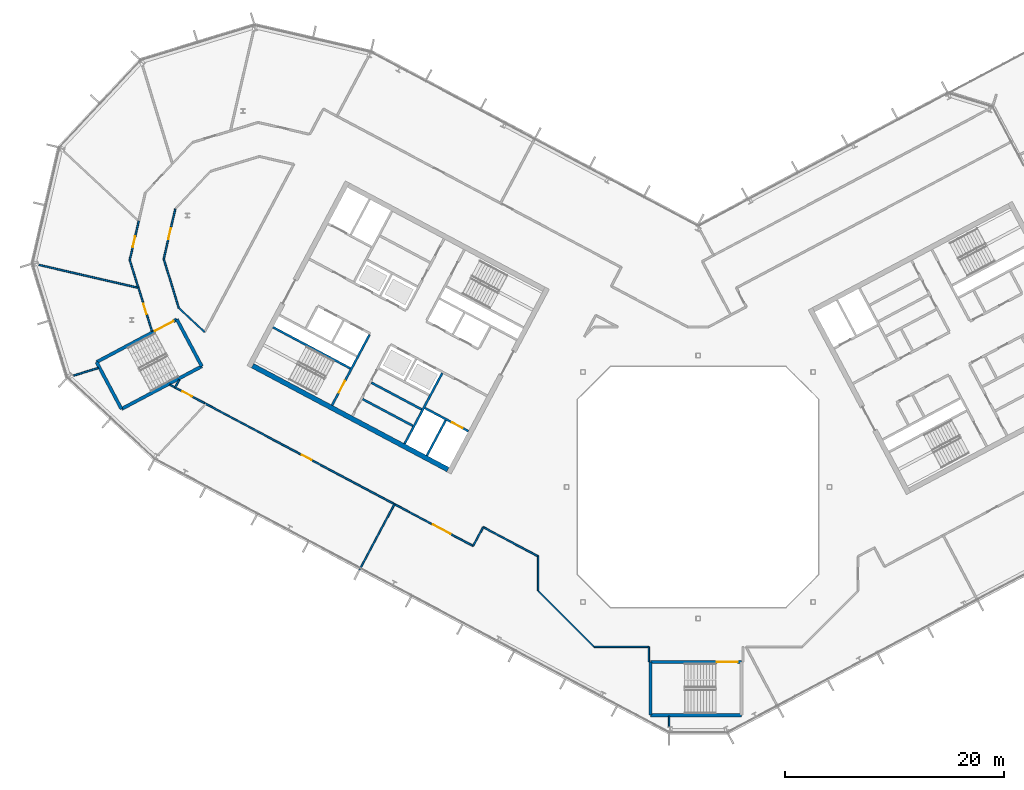
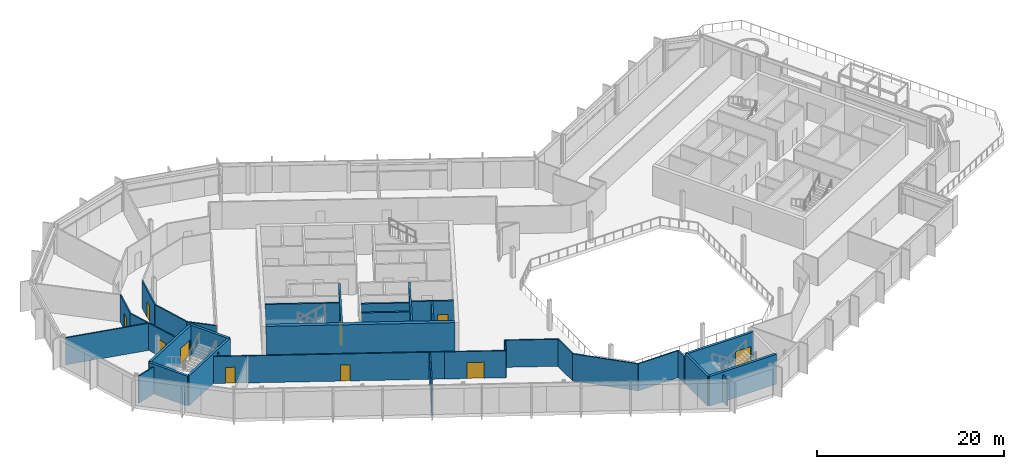
# One storey, part 14 of 30: 35 walls, 10 doors, 10 openings.
"""IFC4 building model written with IfcOpenShell, lengths in metres."""

from ifc_helpers import new_model, si_unit, direction, frame, frame_2d, origin, place, context, subcontext, project, spatial, rectangle, extrude, material, layer, layer_set, type_object, element, fill, save


model = new_model("IFC4")

# Units and contexts
model_context = context("Model", 3, precision=1e-05, world=origin(), true_north=direction((0.0, 1.0)))
body_context = subcontext(model_context, "Body", "Model", "MODEL_VIEW")
ifc_project = project(units=[si_unit("LENGTHUNIT", "METRE"), si_unit("AREAUNIT", "SQUARE_METRE"), si_unit("VOLUMEUNIT", "CUBIC_METRE"), si_unit("PLANEANGLEUNIT", "RADIAN"), si_unit("MASSUNIT", "GRAM", prefix="KILO")], contexts=[model_context])

# Site, building, storey
site_placement = place(None, origin())
site = spatial("IfcSite", under=ifc_project, at=site_placement, CompositionType="ELEMENT")
building_placement = place(site_placement, origin())
building = spatial("IfcBuilding", under=site, at=building_placement, Name="Cormorant Relay Tower", CompositionType="ELEMENT")
storey_placement = place(building_placement, frame((0.0, 0.0, 258.0)))
storey = spatial("IfcBuildingStorey", under=building, at=storey_placement, Name="L57", CompositionType="ELEMENT", Elevation=258.0)

# Walls
ifc_material_1 = material(Name="Concrete 40 MPa", Category="concrete")
ifc_layer_1 = layer(ifc_material_1, 0.199951171875)
ifc_layer_set_1 = layer_set([ifc_layer_1], Name="Core internal wall 200")
wall_type_1 = type_object("IfcWallType", Name="Core internal wall 200", PredefinedType="SOLIDWALL", material=ifc_layer_set_1)
for number, where, z_axis, x_axis, name in (
    (1, (-25.232421875, 7.073974609375, 0.0), (0.0, 0.0, 1.0), (-0.882953967957, 0.469459572775, 0.0), "L57 core A shaft and room wall"),
    (2, (-26.030517578125, 5.572998046875, 0.0), (0.0, 0.0, 1.0), (-0.882953967957, 0.469459572775, 0.0), "L57 core A shaft and room wall"),
):
    element("IfcWall", number, at=place(storey_placement, frame(where, z_axis=z_axis, x_axis=x_axis)), inside=storey, type_object=wall_type_1, Name=name, PredefinedType="SOLIDWALL", context=body_context, shape_type="SweptSolid", body=[
        extrude(rectangle(XDim=5.199951171875, YDim=0.199951171875, at=frame_2d((2.60009765625, 0.0))), origin(), (0.0, 0.0, 1.0), 3.89990234375),
    ])
ifc_material_2 = material(Name="Concrete 50 MPa", Category="concrete")
ifc_layer_2 = layer(ifc_material_2, 0.199951171875)
ifc_layer_set_2 = layer_set([ifc_layer_2], Name="Core shaft wall 200")
wall_type_2 = type_object("IfcWallType", Name="Core shaft wall 200", PredefinedType="SHEAR", material=ifc_layer_set_2)
wall_1_placement = place(storey_placement, frame((-23.04296875, 6.07958984375, 0.0), z_axis=(0.0, 0.0, 1.0), x_axis=(-0.469494272526, -0.882935517501, 0.0)))
element("IfcWall", 3, at=wall_1_placement, inside=storey, type_object=wall_type_2, Name="L57 core A shaft wall", PredefinedType="SHEAR", context=body_context, shape_type="SweptSolid", body=[
    extrude(rectangle(XDim=3.64990234375, YDim=0.199951171875, at=frame_2d((1.824951171875, 0.0))), origin(), (0.0, 0.0, 1.0), 3.89990234375),
])
wall_2_placement = place(storey_placement, frame((-23.360107421875, 10.38232421875, 0.0), z_axis=(0.0, 0.0, 1.0), x_axis=(-0.469480409012, -0.88294288918, 0.0)))
element("IfcWall", 4, at=wall_2_placement, inside=storey, type_object=wall_type_2, Name="L57 core A shaft wall", PredefinedType="SHEAR", context=body_context, shape_type="SweptSolid", body=[
    extrude(rectangle(XDim=7.300048828125, YDim=0.199951171875, at=frame_2d((3.64990234375, 0.0))), origin(), (0.0, 0.0, 1.0), 3.89990234375),
])

# Wall, opening, door
wall_3_placement = place(storey_placement, frame((-29.982421875, 13.9033203125, 0.0), z_axis=(0.0, 0.0, 1.0), x_axis=(-0.469454336211, -0.882956752176, 0.0)))
wall_3 = element("IfcWall", 5, at=wall_3_placement, inside=storey, type_object=wall_type_2, Name="L57 core A shaft wall", PredefinedType="SHEAR", context=body_context, shape_type="SweptSolid", body=[
    extrude(rectangle(XDim=7.300048828125, YDim=0.199951171875, at=frame_2d((3.64990234375, 0.0))), origin(), (0.0, 0.0, 1.0), 3.89990234375),
])
opening_1_placement = place(wall_3_placement, frame((4.800048828125, 0.0, 0.0)))
opening_1 = element("IfcOpeningElement", 6, at=opening_1_placement, cuts=wall_3, Name="Opening CDB-039", PredefinedType="OPENING", context=body_context, shape_type="SweptSolid", body=[
    extrude(rectangle(XDim=1.199951171875, YDim=2.10009765625, at=frame_2d((0.60009765625, 1.050048828125))), frame((0.0, 0.10986328125, 0.0), z_axis=(0.0, -1.0, 0.0), x_axis=(1.0, 0.0, 0.0)), (0.0, 0.0, 1.0), 0.219970703125),
])
ifc_material_3 = material(Name="Steel fire door", Category="steel")
door_type_1 = type_object("IfcDoorType", Name="Core stair door 1200x2100", OperationType="SINGLE_SWING_LEFT", PredefinedType="DOOR", material=ifc_material_3)
door_1_placement = place(opening_1_placement, frame((1.199951171875, 0.0, 0.0), z_axis=(0.0, 0.0, 1.0), x_axis=(-1.0, 0.0, 0.0)))
door_1 = element("IfcDoor", 7, at=door_1_placement, inside=storey, type_object=door_type_1, Name="Core stair door 1200x2100", OperationType="SINGLE_SWING_RIGHT", OverallHeight=2.10009765625, OverallWidth=1.199951171875, PredefinedType="DOOR", context=body_context, shape_type="SweptSolid", body=[
    extrude(rectangle(XDim=1.199951171875, YDim=2.10009765625, at=frame_2d((0.60009765625, 1.050048828125))), frame((0.0, 0.02490234375, 0.0), z_axis=(0.0, -1.0, 0.0), x_axis=(1.0, 0.0, 0.0)), (0.0, 0.0, 1.0), 0.050048828125),
])
fill(opening_1, door_1)

wall_4_placement = place(storey_placement, frame((-20.96533203125, 5.088134765625, 0.0), z_axis=(0.0, 0.0, 1.0), x_axis=(-0.882925986334, 0.469512196493, 0.0)))
wall_4 = element("IfcWall", 8, at=wall_4_placement, inside=storey, type_object=wall_type_2, Name="L57 core A shaft wall", PredefinedType="SHEAR", context=body_context, shape_type="SweptSolid", body=[
    extrude(rectangle(XDim=4.5, YDim=0.199951171875, at=frame_2d((2.25, 0.0))), origin(), (0.0, 0.0, 1.0), 3.89990234375),
])
opening_2_placement = place(wall_4_placement, frame((0.60009765625, 0.0, 0.0)))
opening_2 = element("IfcOpeningElement", 9, at=opening_2_placement, cuts=wall_4, Name="Opening LD1-063", PredefinedType="OPENING", context=body_context, shape_type="SweptSolid", body=[
    extrude(rectangle(XDim=1.10009765625, YDim=2.10009765625, at=frame_2d((0.550048828125, 1.050048828125))), frame((0.0, 0.10986328125, 0.0), z_axis=(0.0, -1.0, 0.0), x_axis=(1.0, 0.0, 0.0)), (0.0, 0.0, 1.0), 0.219970703125),
])
ifc_material_4 = material(Name="Stainless steel 316", Category="steel")
door_type_2 = type_object("IfcDoorType", Name="Lift landing door 1100x2100", OperationType="DOUBLE_DOOR_SLIDING", PredefinedType="DOOR", material=ifc_material_4)
door_2_placement = place(opening_2_placement, origin())
door_2 = element("IfcDoor", 10, at=door_2_placement, inside=storey, type_object=door_type_2, Name="FF1 landing door", OperationType="DOUBLE_DOOR_SLIDING", OverallHeight=2.10009765625, OverallWidth=1.10009765625, PredefinedType="DOOR", context=body_context, shape_type="SweptSolid", body=[
    extrude(rectangle(XDim=1.10009765625, YDim=2.10009765625, at=frame_2d((0.550048828125, 1.050048828125))), frame((0.0, 0.02490234375, 0.0), z_axis=(0.0, -1.0, 0.0), x_axis=(1.0, 0.0, 0.0)), (0.0, 0.0, 1.0), 0.050048828125),
])
fill(opening_2, door_2)

# Walls
wall_5_placement = place(storey_placement, frame((-31.7373046875, 10.815673828125, 0.0), z_axis=(0.0, 0.0, 1.0), x_axis=(-0.882940221191, 0.469485426614, 0.0)))
element("IfcWall", 11, at=wall_5_placement, inside=storey, type_object=wall_type_2, Name="L57 core A shaft wall", PredefinedType="SHEAR", context=body_context, shape_type="SweptSolid", body=[
    extrude(rectangle(XDim=8.0, YDim=0.199951171875, at=frame_2d((4.0, 0.0))), origin(), (0.0, 0.0, 1.0), 3.89990234375),
])
ifc_material_5 = material(Name="Concrete 50 MPa", Category="concrete")
ifc_layer_3 = layer(ifc_material_5, 0.449951171875)
ifc_layer_set_3 = layer_set([ifc_layer_3], Name="Core wall 450")
wall_type_3 = type_object("IfcWallType", Name="Core wall 450", PredefinedType="SHEAR", material=ifc_layer_set_3)
wall_6_placement = place(storey_placement, frame((-22.83154296875, 1.578369140625, 0.0), z_axis=(0.0, 0.0, 1.0), x_axis=(-0.88294509198, 0.469476266226, 0.0)))
element("IfcWall", 12, at=wall_6_placement, inside=storey, type_object=wall_type_3, Name="L57 core A wall", PredefinedType="SHEAR", context=body_context, shape_type="SweptSolid", body=[
    extrude(rectangle(XDim=20.199951171875, YDim=0.449951171875, at=frame_2d((10.10009765625, 0.0))), origin(), (0.0, 0.0, 1.0), 3.89990234375),
])

# Wall, opening, door
ifc_material_6 = material(Name="Gypsum board fire partition")
ifc_layer_4 = layer(ifc_material_6, 0.14990234375)
ifc_layer_set_4 = layer_set([ifc_layer_4], Name="Corridor partition 150 EI 60")
wall_type_4 = type_object("IfcWallType", Name="Corridor partition 150 EI 60", PredefinedType="PARTITIONING", material=ifc_layer_set_4)
wall_7_placement = place(storey_placement, frame((-51.04296875, 24.300048828125, 0.0), z_axis=(0.0, 0.0, 1.0), x_axis=(-0.225042980234, -0.974348837454, 0.0)))
wall_7 = element("IfcWall", 13, at=wall_7_placement, inside=storey, type_object=wall_type_4, Name="wall/L57/part/004", PredefinedType="PARTITIONING", context=body_context, shape_type="SweptSolid", body=[
    extrude(rectangle(XDim=3.69287109375, YDim=0.14990234375, at=frame_2d((1.846435546875, 0.0))), origin(), (0.0, 0.0, 1.0), 3.5400390625),
])
opening_3_placement = place(wall_7_placement, frame((1.470947265625, 0.0, 0.0)))
opening_3 = element("IfcOpeningElement", 14, at=opening_3_placement, cuts=wall_7, Name="Opening DS-196", PredefinedType="OPENING", context=body_context, shape_type="SweptSolid", body=[
    extrude(rectangle(XDim=1.0, YDim=2.10009765625, at=frame_2d((0.5, 1.050048828125))), frame((0.0, 0.0849609375, 0.0), z_axis=(0.0, -1.0, 0.0), x_axis=(1.0, 0.0, 0.0)), (0.0, 0.0, 1.0), 0.169921875),
])
ifc_material_7 = material(Name="Timber door leaf", Category="wood")
door_type_3 = type_object("IfcDoorType", Name="Suite door 1000x2100", OperationType="SINGLE_SWING_LEFT", PredefinedType="DOOR", material=ifc_material_7)
door_3_placement = place(opening_3_placement, frame((1.0, 0.0, 0.0), z_axis=(0.0, 0.0, 1.0), x_axis=(-1.0, 0.0, 0.0)))
door_3 = element("IfcDoor", 15, at=door_3_placement, inside=storey, type_object=door_type_3, Name="door/L57/010", OperationType="SINGLE_SWING_RIGHT", OverallHeight=2.10009765625, OverallWidth=1.0, PredefinedType="DOOR", context=body_context, shape_type="SweptSolid", body=[
    extrude(rectangle(XDim=1.0, YDim=2.10009765625, at=frame_2d((0.5, 1.050048828125))), frame((0.0, 0.02490234375, 0.0), z_axis=(0.0, -1.0, 0.0), x_axis=(1.0, 0.0, 0.0)), (0.0, 0.0, 1.0), 0.050048828125),
])
fill(opening_3, door_3)

# Wall
wall_8_placement = place(storey_placement, frame((-51.8740234375, 20.701904296875, 0.0), z_axis=(0.0, 0.0, 1.0), x_axis=(0.299019355328, -0.954247046178, 0.0)))
element("IfcWall", 16, at=wall_8_placement, inside=storey, type_object=wall_type_4, Name="wall/L57/part/005", PredefinedType="PARTITIONING", context=body_context, shape_type="SweptSolid", body=[
    extrude(rectangle(XDim=2.595458984375, YDim=0.14990234375, at=frame_2d((1.2978515625, 0.0))), origin(), (0.0, 0.0, 1.0), 3.5400390625),
])

# Wall, opening, door
wall_9_placement = place(storey_placement, frame((-49.8369140625, 14.199951171875, 0.0), z_axis=(0.0, 0.0, 1.0), x_axis=(-0.298950529123, 0.95426861058, 0.0)))
wall_9 = element("IfcWall", 17, at=wall_9_placement, inside=storey, type_object=wall_type_4, Name="wall/L57/part/006", PredefinedType="PARTITIONING", context=body_context, shape_type="SweptSolid", body=[
    extrude(rectangle(XDim=4.218017578125, YDim=0.14990234375, at=frame_2d((2.10888671875, 0.0))), origin(), (0.0, 0.0, 1.0), 3.5400390625),
])
opening_4_placement = place(wall_9_placement, frame((1.64990234375, 0.0, 0.0)))
opening_4 = element("IfcOpeningElement", 18, at=opening_4_placement, cuts=wall_9, Name="Opening DS-197", PredefinedType="OPENING", context=body_context, shape_type="SweptSolid", body=[
    extrude(rectangle(XDim=1.0, YDim=2.10009765625, at=frame_2d((0.5, 1.050048828125))), frame((0.0, 0.0849609375, 0.0), z_axis=(0.0, -1.0, 0.0), x_axis=(1.0, 0.0, 0.0)), (0.0, 0.0, 1.0), 0.169921875),
])
door_4_placement = place(opening_4_placement, origin())
door_4 = element("IfcDoor", 19, at=door_4_placement, inside=storey, type_object=door_type_3, Name="door/L57/011", OperationType="SINGLE_SWING_LEFT", OverallHeight=2.10009765625, OverallWidth=1.0, PredefinedType="DOOR", context=body_context, shape_type="SweptSolid", body=[
    extrude(rectangle(XDim=1.0, YDim=2.10009765625, at=frame_2d((0.5, 1.050048828125))), frame((0.0, 0.02490234375, 0.0), z_axis=(0.0, -1.0, 0.0), x_axis=(1.0, 0.0, 0.0)), (0.0, 0.0, 1.0), 0.050048828125),
])
fill(opening_4, door_4)

wall_10_placement = place(storey_placement, frame((-45.08203125, 7.662109375, 0.0), z_axis=(0.0, 0.0, 1.0), x_axis=(-0.883006287566, 0.469361157446, 0.0)))
wall_10 = element("IfcWall", 20, at=wall_10_placement, inside=storey, type_object=wall_type_4, Name="wall/L57/part/014", PredefinedType="PARTITIONING", context=body_context, shape_type="SweptSolid", body=[
    extrude(rectangle(XDim=3.5537109375, YDim=0.14990234375, at=frame_2d((1.77685546875, 0.0))), origin(), (0.0, 0.0, 1.0), 3.5400390625),
])
opening_5_placement = place(wall_10_placement, frame((1.25, 0.0, 0.0)))
opening_5 = element("IfcOpeningElement", 21, at=opening_5_placement, cuts=wall_10, Name="Opening DS-198", PredefinedType="OPENING", context=body_context, shape_type="SweptSolid", body=[
    extrude(rectangle(XDim=1.0, YDim=2.10009765625, at=frame_2d((0.5, 1.050048828125))), frame((0.0, 0.0849609375, 0.0), z_axis=(0.0, -1.0, 0.0), x_axis=(1.0, 0.0, 0.0)), (0.0, 0.0, 1.0), 0.169921875),
])
door_5_placement = place(opening_5_placement, origin())
door_5 = element("IfcDoor", 22, at=door_5_placement, inside=storey, type_object=door_type_3, Name="door/L57/012", OperationType="SINGLE_SWING_LEFT", OverallHeight=2.10009765625, OverallWidth=1.0, PredefinedType="DOOR", context=body_context, shape_type="SweptSolid", body=[
    extrude(rectangle(XDim=1.0, YDim=2.10009765625, at=frame_2d((0.5, 1.050048828125))), frame((0.0, 0.02490234375, 0.0), z_axis=(0.0, -1.0, 0.0), x_axis=(1.0, 0.0, 0.0)), (0.0, 0.0, 1.0), 0.050048828125),
])
fill(opening_5, door_5)

# Wall
wall_11_placement = place(storey_placement, frame((-47.35302734375, 9.77587890625, 0.0), z_axis=(0.0, 0.0, 1.0), x_axis=(-0.468686651768, -0.883364490148, 0.0)))
element("IfcWall", 23, at=wall_11_placement, inside=storey, type_object=wall_type_4, Name="wall/L57/part/015", PredefinedType="PARTITIONING", context=body_context, shape_type="SweptSolid", body=[
    extrude(rectangle(XDim=0.800048828125, YDim=0.14990234375, at=frame_2d((0.39990234375, 0.0))), origin(), (0.0, 0.0, 1.0), 3.5400390625),
])

# Wall, opening, door
wall_12_placement = place(storey_placement, frame((-26.33203125, -2.30810546875, 0.0), z_axis=(0.0, 0.0, 1.0), x_axis=(-0.882934651009, 0.469495902056, 0.0)))
wall_12 = element("IfcWall", 24, at=wall_12_placement, inside=storey, type_object=wall_type_4, Name="wall/L57/part/016", PredefinedType="PARTITIONING", context=body_context, shape_type="SweptSolid", body=[
    extrude(rectangle(XDim=21.236083984375, YDim=0.14990234375, at=frame_2d((10.6181640625, 0.0))), origin(), (0.0, 0.0, 1.0), 3.5400390625),
])
opening_6_placement = place(wall_12_placement, frame((10.14990234375, 0.0, 0.0)))
opening_6 = element("IfcOpeningElement", 25, at=opening_6_placement, cuts=wall_12, Name="Opening DS-199", PredefinedType="OPENING", context=body_context, shape_type="SweptSolid", body=[
    extrude(rectangle(XDim=1.0, YDim=2.10009765625, at=frame_2d((0.5, 1.050048828125))), frame((0.0, 0.0849609375, 0.0), z_axis=(0.0, -1.0, 0.0), x_axis=(1.0, 0.0, 0.0)), (0.0, 0.0, 1.0), 0.169921875),
])
door_6_placement = place(opening_6_placement, origin())
door_6 = element("IfcDoor", 26, at=door_6_placement, inside=storey, type_object=door_type_3, Name="door/L57/013", OperationType="SINGLE_SWING_LEFT", OverallHeight=2.10009765625, OverallWidth=1.0, PredefinedType="DOOR", context=body_context, shape_type="SweptSolid", body=[
    extrude(rectangle(XDim=1.0, YDim=2.10009765625, at=frame_2d((0.5, 1.050048828125))), frame((0.0, 0.02490234375, 0.0), z_axis=(0.0, -1.0, 0.0), x_axis=(1.0, 0.0, 0.0)), (0.0, 0.0, 1.0), 0.050048828125),
])
fill(opening_6, door_6)

# Wall
wall_13_placement = place(storey_placement, frame((-19.6201171875, -3.6708984375, 0.0), z_axis=(0.0, 0.0, 1.0), x_axis=(-0.46913689781, -0.883125456044, 0.0)))
element("IfcWall", 27, at=wall_13_placement, inside=storey, type_object=wall_type_4, Name="wall/L57/part/025", PredefinedType="PARTITIONING", context=body_context, shape_type="SweptSolid", body=[
    extrude(rectangle(XDim=1.94775390625, YDim=0.14990234375, at=frame_2d((0.973876953125, 0.0))), origin(), (0.0, 0.0, 1.0), 3.5400390625),
])

# Wall, opening, door
wall_14_placement = place(storey_placement, frame((-20.533935546875, -5.39111328125, 0.0), z_axis=(0.0, 0.0, 1.0), x_axis=(-0.882940924319, 0.46948410427, 0.0)))
wall_14 = element("IfcWall", 28, at=wall_14_placement, inside=storey, type_object=wall_type_4, Name="wall/L57/part/026", PredefinedType="PARTITIONING", context=body_context, shape_type="SweptSolid", body=[
    extrude(rectangle(XDim=6.56689453125, YDim=0.14990234375, at=frame_2d((3.283447265625, 0.0))), origin(), (0.0, 0.0, 1.0), 3.5400390625),
])
opening_7_placement = place(wall_14_placement, frame((2.35009765625, 0.0, 0.0)))
opening_7 = element("IfcOpeningElement", 29, at=opening_7_placement, cuts=wall_14, Name="Opening DD-034", PredefinedType="OPENING", context=body_context, shape_type="SweptSolid", body=[
    extrude(rectangle(XDim=1.800048828125, YDim=2.10009765625, at=frame_2d((0.89990234375, 1.050048828125))), frame((0.0, 0.0849609375, 0.0), z_axis=(0.0, -1.0, 0.0), x_axis=(1.0, 0.0, 0.0)), (0.0, 0.0, 1.0), 0.169921875),
])
ifc_material_8 = material(Name="Timber door leaf", Category="wood")
door_type_4 = type_object("IfcDoorType", Name="Suite double door 1800x2100", OperationType="DOUBLE_DOOR_SINGLE_SWING", PredefinedType="DOOR", material=ifc_material_8)
door_7_placement = place(opening_7_placement, origin())
door_7 = element("IfcDoor", 30, at=door_7_placement, inside=storey, type_object=door_type_4, Name="door/L57/014", OperationType="DOUBLE_DOOR_SINGLE_SWING", OverallHeight=2.10009765625, OverallWidth=1.800048828125, PredefinedType="DOOR", context=body_context, shape_type="SweptSolid", body=[
    extrude(rectangle(XDim=1.800048828125, YDim=2.10009765625, at=frame_2d((0.89990234375, 1.050048828125))), frame((0.0, 0.02490234375, 0.0), z_axis=(0.0, -1.0, 0.0), x_axis=(1.0, 0.0, 0.0)), (0.0, 0.0, 1.0), 0.050048828125),
])
fill(opening_7, door_7)

# Walls
wall_15_placement = place(storey_placement, frame((-19.618896484375, -3.6689453125, 0.0), z_axis=(0.0, 0.0, 1.0), x_axis=(0.882918229391, -0.469526783271, 0.0)))
element("IfcWall", 31, at=wall_15_placement, inside=storey, type_object=wall_type_4, Name="wall/L57/part/027", PredefinedType="PARTITIONING", context=body_context, shape_type="SweptSolid", body=[
    extrude(rectangle(XDim=5.684326171875, YDim=0.14990234375, at=frame_2d((2.84228515625, 0.0))), origin(), (0.0, 0.0, 1.0), 3.5400390625),
])
wall_16_placement = place(storey_placement, frame((-4.52490234375, -14.60009765625, 0.0), z_axis=(0.0, 0.0, 1.0), x_axis=(-1.0, 0.0, 0.0)))
element("IfcWall", 32, at=wall_16_placement, inside=storey, type_object=wall_type_4, Name="wall/L57/part/028", PredefinedType="PARTITIONING", context=body_context, shape_type="SweptSolid", body=[
    extrude(rectangle(XDim=4.966064453125, YDim=0.14990234375, at=frame_2d((2.48291015625, 0.0))), origin(), (0.0, 0.0, 1.0), 3.5400390625),
])
wall_17_placement = place(storey_placement, frame((-9.490966796875, -14.60009765625, 0.0), z_axis=(0.0, 0.0, 1.0), x_axis=(-0.707106781187, 0.707106781187, 0.0)))
element("IfcWall", 33, at=wall_17_placement, inside=storey, type_object=wall_type_4, Name="wall/L57/part/029", PredefinedType="PARTITIONING", context=body_context, shape_type="SweptSolid", body=[
    extrude(rectangle(XDim=7.225341796875, YDim=0.14990234375, at=frame_2d((3.61279296875, 0.0))), origin(), (0.0, 0.0, 1.0), 3.5400390625),
])
wall_18_placement = place(storey_placement, frame((-14.60009765625, -9.490966796875, 0.0), z_axis=(0.0, 0.0, 1.0), x_axis=(0.0, 1.0, 0.0)))
element("IfcWall", 34, at=wall_18_placement, inside=storey, type_object=wall_type_4, Name="wall/L57/part/030", PredefinedType="PARTITIONING", context=body_context, shape_type="SweptSolid", body=[
    extrude(rectangle(XDim=3.202880859375, YDim=0.14990234375, at=frame_2d((1.6015625, 0.0))), origin(), (0.0, 0.0, 1.0), 3.5400390625),
])
wall_19_placement = place(storey_placement, frame((-4.5, -15.97509765625, 0.0), z_axis=(0.0, 0.0, 1.0), x_axis=(0.0, 1.0, 0.0)))
element("IfcWall", 35, at=wall_19_placement, inside=storey, type_object=wall_type_4, Name="wall/L57/part/038", PredefinedType="PARTITIONING", context=body_context, shape_type="SweptSolid", body=[
    extrude(rectangle(XDim=1.375, YDim=0.14990234375, at=frame_2d((0.6875, 0.0))), origin(), (0.0, 0.0, 1.0), 3.5400390625),
])

# Wall, opening, door
wall_20_placement = place(storey_placement, frame((-48.77001953125, 20.81103515625, 0.0), z_axis=(0.0, 0.0, 1.0), x_axis=(0.224992850796, 0.97436041437, 0.0)))
wall_20 = element("IfcWall", 36, at=wall_20_placement, inside=storey, type_object=wall_type_4, Name="wall/L57/part/055", PredefinedType="PARTITIONING", context=body_context, shape_type="SweptSolid", body=[
    extrude(rectangle(XDim=4.679931640625, YDim=0.14990234375, at=frame_2d((2.33984375, 0.0))), origin(), (0.0, 0.0, 1.0), 3.5400390625),
])
opening_8_placement = place(wall_20_placement, frame((1.85009765625, 0.0, 0.0)))
opening_8 = element("IfcOpeningElement", 37, at=opening_8_placement, cuts=wall_20, Name="Opening DS-187", PredefinedType="OPENING", context=body_context, shape_type="SweptSolid", body=[
    extrude(rectangle(XDim=1.0, YDim=2.10009765625, at=frame_2d((0.5, 1.050048828125))), frame((0.0, 0.0849609375, 0.0), z_axis=(0.0, -1.0, 0.0), x_axis=(1.0, 0.0, 0.0)), (0.0, 0.0, 1.0), 0.169921875),
])
door_8_placement = place(opening_8_placement, origin())
door_8 = element("IfcDoor", 38, at=door_8_placement, inside=storey, type_object=door_type_3, Name="door/L57/001", OperationType="SINGLE_SWING_LEFT", OverallHeight=2.10009765625, OverallWidth=1.0, PredefinedType="DOOR", context=body_context, shape_type="SweptSolid", body=[
    extrude(rectangle(XDim=1.0, YDim=2.10009765625, at=frame_2d((0.5, 1.050048828125))), frame((0.0, 0.02490234375, 0.0), z_axis=(0.0, -1.0, 0.0), x_axis=(1.0, 0.0, 0.0)), (0.0, 0.0, 1.0), 0.050048828125),
])
fill(opening_8, door_8)

# Walls
wall_21_placement = place(storey_placement, frame((-45.0380859375, 14.131103515625, 0.0), z_axis=(0.0, 0.0, 1.0), x_axis=(-0.731424603894, 0.681922318757, 0.0)))
element("IfcWall", 39, at=wall_21_placement, inside=storey, type_object=wall_type_4, Name="wall/L57/part/060", PredefinedType="PARTITIONING", context=body_context, shape_type="SweptSolid", body=[
    extrude(rectangle(XDim=3.23046875, YDim=0.14990234375, at=frame_2d((1.615234375, 0.0))), origin(), (0.0, 0.0, 1.0), 3.5400390625),
])
wall_22_placement = place(storey_placement, frame((-47.40087890625, 16.333984375, 0.0), z_axis=(0.0, 0.0, 1.0), x_axis=(-0.292443752142, 0.956282725889, 0.0)))
element("IfcWall", 40, at=wall_22_placement, inside=storey, type_object=wall_type_4, Name="wall/L57/part/061", PredefinedType="PARTITIONING", context=body_context, shape_type="SweptSolid", body=[
    extrude(rectangle(XDim=4.681640625, YDim=0.14990234375, at=frame_2d((2.3408203125, 0.0))), origin(), (0.0, 0.0, 1.0), 3.5400390625),
])
ifc_material_9 = material(Name="Concrete 50 MPa", Category="concrete")
ifc_layer_5 = layer(ifc_material_9, 0.300048828125)
ifc_layer_set_5 = layer_set([ifc_layer_5], Name="Remote stair wall 300")
wall_type_5 = type_object("IfcWallType", Name="Remote stair wall 300", PredefinedType="SHEAR", material=ifc_layer_set_5)
wall_23_placement = place(storey_placement, frame((3.949951171875, -20.824951171875, 0.0), z_axis=(0.0, 0.0, 1.0), x_axis=(-1.0, 0.0, 0.0)))
element("IfcWall", 41, at=wall_23_placement, inside=storey, type_object=wall_type_5, Name="L57 exit stair RK1 wall", PredefinedType="SHEAR", context=body_context, shape_type="SweptSolid", body=[
    extrude(rectangle(XDim=8.300048828125, YDim=0.300048828125, at=frame_2d((4.14990234375, 0.0))), origin(), (0.0, 0.0, 1.0), 3.89990234375),
])
wall_24_placement = place(storey_placement, frame((-4.35009765625, -20.824951171875, 0.0), z_axis=(0.0, 0.0, 1.0), x_axis=(0.0, 1.0, 0.0)))
element("IfcWall", 42, at=wall_24_placement, inside=storey, type_object=wall_type_5, Name="L57 exit stair RK1 wall", PredefinedType="SHEAR", context=body_context, shape_type="SweptSolid", body=[
    extrude(rectangle(XDim=4.849853515625, YDim=0.300048828125, at=frame_2d((2.4248046875, 0.0))), origin(), (0.0, 0.0, 1.0), 3.89990234375),
])

# Wall, opening, door
wall_25_placement = place(storey_placement, frame((-4.35009765625, -15.97509765625, 0.0), z_axis=(0.0, 0.0, 1.0), x_axis=(1.0, 0.0, 0.0)))
wall_25 = element("IfcWall", 43, at=wall_25_placement, inside=storey, type_object=wall_type_5, Name="L57 exit stair RK1 wall", PredefinedType="SHEAR", context=body_context, shape_type="SweptSolid", body=[
    extrude(rectangle(XDim=8.300048828125, YDim=0.300048828125, at=frame_2d((4.14990234375, 0.0))), origin(), (0.0, 0.0, 1.0), 3.89990234375),
])
opening_9_placement = place(wall_25_placement, frame((6.050048828125, 0.0, 0.0)))
opening_9 = element("IfcOpeningElement", 44, at=opening_9_placement, cuts=wall_25, Name="Opening CDE-014", PredefinedType="OPENING", context=body_context, shape_type="SweptSolid", body=[
    extrude(rectangle(XDim=1.89990234375, YDim=2.10009765625, at=frame_2d((0.949951171875, 1.050048828125))), frame((0.0, 0.159912109375, 0.0), z_axis=(0.0, -1.0, 0.0), x_axis=(1.0, 0.0, 0.0)), (0.0, 0.0, 1.0), 0.320068359375),
])
ifc_material_10 = material(Name="Steel fire door", Category="steel")
door_type_5 = type_object("IfcDoorType", Name="Remote stair door 1900x2100", OperationType="DOUBLE_DOOR_SINGLE_SWING", PredefinedType="DOOR", material=ifc_material_10)
door_9_placement = place(opening_9_placement, frame((1.89990234375, 0.0, 0.0), z_axis=(0.0, 0.0, 1.0), x_axis=(-1.0, 0.0, 0.0)))
door_9 = element("IfcDoor", 45, at=door_9_placement, inside=storey, type_object=door_type_5, Name="Exit stair RK1 door", OperationType="DOUBLE_DOOR_SINGLE_SWING", OverallHeight=2.10009765625, OverallWidth=1.89990234375, PredefinedType="DOOR", context=body_context, shape_type="SweptSolid", body=[
    extrude(rectangle(XDim=1.89990234375, YDim=2.10009765625, at=frame_2d((0.949951171875, 1.050048828125))), frame((0.0, 0.02490234375, 0.0), z_axis=(0.0, -1.0, 0.0), x_axis=(1.0, 0.0, 0.0)), (0.0, 0.0, 1.0), 0.050048828125),
])
fill(opening_9, door_9)

# Walls
wall_26_placement = place(storey_placement, frame((-47.57421875, 15.28955078125, 0.0), z_axis=(0.0, 0.0, 1.0), x_axis=(0.469443498566, -0.882962514297, 0.0)))
element("IfcWall", 46, at=wall_26_placement, inside=storey, type_object=wall_type_5, Name="L57 exit stair RP1 wall", PredefinedType="SHEAR", context=body_context, shape_type="SweptSolid", body=[
    extrude(rectangle(XDim=4.85009765625, YDim=0.300048828125, at=frame_2d((2.425048828125, 0.0))), origin(), (0.0, 0.0, 1.0), 3.89990234375),
])
wall_27_placement = place(storey_placement, frame((-45.29736328125, 11.007080078125, 0.0), z_axis=(0.0, 0.0, 1.0), x_axis=(-0.882951519127, -0.469464178475, 0.0)))
element("IfcWall", 47, at=wall_27_placement, inside=storey, type_object=wall_type_5, Name="L57 exit stair RP1 wall", PredefinedType="SHEAR", context=body_context, shape_type="SweptSolid", body=[
    extrude(rectangle(XDim=8.2998046875, YDim=0.300048828125, at=frame_2d((4.14990234375, 0.0))), origin(), (0.0, 0.0, 1.0), 3.89990234375),
])
wall_28_placement = place(storey_placement, frame((-52.625732421875, 7.110595703125, 0.0), z_axis=(0.0, 0.0, 1.0), x_axis=(-0.469464364128, 0.882951420416, 0.0)))
element("IfcWall", 48, at=wall_28_placement, inside=storey, type_object=wall_type_5, Name="L57 exit stair RP1 wall", PredefinedType="SHEAR", context=body_context, shape_type="SweptSolid", body=[
    extrude(rectangle(XDim=4.849853515625, YDim=0.300048828125, at=frame_2d((2.4248046875, 0.0))), origin(), (0.0, 0.0, 1.0), 3.89990234375),
])

# Wall, opening, door
wall_29_placement = place(storey_placement, frame((-54.902587890625, 11.392822265625, 0.0), z_axis=(0.0, 0.0, 1.0), x_axis=(0.882939326045, 0.469487110071, 0.0)))
wall_29 = element("IfcWall", 49, at=wall_29_placement, inside=storey, type_object=wall_type_5, Name="L57 exit stair RP1 wall", PredefinedType="SHEAR", context=body_context, shape_type="SweptSolid", body=[
    extrude(rectangle(XDim=8.300048828125, YDim=0.300048828125, at=frame_2d((4.14990234375, 0.0))), origin(), (0.0, 0.0, 1.0), 3.89990234375),
])
opening_10_placement = place(wall_29_placement, frame((6.050048828125, 0.0, 0.0)))
opening_10 = element("IfcOpeningElement", 50, at=opening_10_placement, cuts=wall_29, Name="Opening CDE-015", PredefinedType="OPENING", context=body_context, shape_type="SweptSolid", body=[
    extrude(rectangle(XDim=1.89990234375, YDim=2.10009765625, at=frame_2d((0.949951171875, 1.050048828125))), frame((0.0, 0.159912109375, 0.0), z_axis=(0.0, -1.0, 0.0), x_axis=(1.0, 0.0, 0.0)), (0.0, 0.0, 1.0), 0.320068359375),
])
door_10_placement = place(opening_10_placement, frame((1.89990234375, 0.0, 0.0), z_axis=(0.0, 0.0, 1.0), x_axis=(-1.0, 0.0, 0.0)))
door_10 = element("IfcDoor", 51, at=door_10_placement, inside=storey, type_object=door_type_5, Name="Exit stair RP1 door", OperationType="DOUBLE_DOOR_SINGLE_SWING", OverallHeight=2.10009765625, OverallWidth=1.89990234375, PredefinedType="DOOR", context=body_context, shape_type="SweptSolid", body=[
    extrude(rectangle(XDim=1.89990234375, YDim=2.10009765625, at=frame_2d((0.949951171875, 1.050048828125))), frame((0.0, 0.02490234375, 0.0), z_axis=(0.0, -1.0, 0.0), x_axis=(1.0, 0.0, 0.0)), (0.0, 0.0, 1.0), 0.050048828125),
])
fill(opening_10, door_10)

# Walls
ifc_material_11 = material(Name="Gypsum board partition")
ifc_layer_6 = layer(ifc_material_11, 0.14990234375)
ifc_layer_set_6 = layer_set([ifc_layer_6], Name="Tenant partition 150")
wall_type_6 = type_object("IfcWallType", Name="Tenant partition 150", PredefinedType="PARTITIONING", material=ifc_layer_set_6)
wall_30_placement = place(storey_placement, frame((-51.080078125, 18.16796875, 0.0), z_axis=(0.0, 0.0, 1.0), x_axis=(-0.974359901617, 0.224995071328, 0.0)))
element("IfcWall", 52, at=wall_30_placement, inside=storey, type_object=wall_type_6, Name="wall/L57/part/001", PredefinedType="PARTITIONING", context=body_context, shape_type="SweptSolid", body=[
    extrude(rectangle(XDim=9.33837890625, YDim=0.14990234375, at=frame_2d((4.669189453125, 0.0))), origin(), (0.0, 0.0, 1.0), 3.5400390625),
])
wall_31_placement = place(storey_placement, frame((-54.73193359375, 10.85693359375, 0.0), z_axis=(0.0, 0.0, 1.0), x_axis=(-0.956231519395, -0.292611143525, 0.0)))
element("IfcWall", 53, at=wall_31_placement, inside=storey, type_object=wall_type_6, Name="wall/L57/part/003", PredefinedType="PARTITIONING", context=body_context, shape_type="SweptSolid", body=[
    extrude(rectangle(XDim=2.385498046875, YDim=0.14990234375, at=frame_2d((1.19287109375, 0.0))), origin(), (0.0, 0.0, 1.0), 3.5400390625),
])
wall_32_placement = place(storey_placement, frame((-27.716064453125, -1.572021484375, 0.0), z_axis=(0.0, 0.0, 1.0), x_axis=(-0.469533184863, -0.882914825061, 0.0)))
element("IfcWall", 54, at=wall_32_placement, inside=storey, type_object=wall_type_6, Name="wall/L57/part/011", PredefinedType="PARTITIONING", context=body_context, shape_type="SweptSolid", body=[
    extrude(rectangle(XDim=6.800048828125, YDim=0.14990234375, at=frame_2d((3.39990234375, 0.0))), origin(), (0.0, 0.0, 1.0), 3.5400390625),
])
wall_33_placement = place(storey_placement, frame((-2.64892578125, -20.925048828125, 0.0), z_axis=(0.0, 0.0, 1.0), x_axis=(0.0, -1.0, 0.0)))
element("IfcWall", 55, at=wall_33_placement, inside=storey, type_object=wall_type_6, Name="wall/L57/part/039", PredefinedType="PARTITIONING", context=body_context, shape_type="SweptSolid", body=[
    extrude(rectangle(XDim=0.966064453125, YDim=0.14990234375, at=frame_2d((0.48291015625, 0.0))), origin(), (0.0, 0.0, 1.0), 3.5400390625),
])

save(model, "model.ifc")
